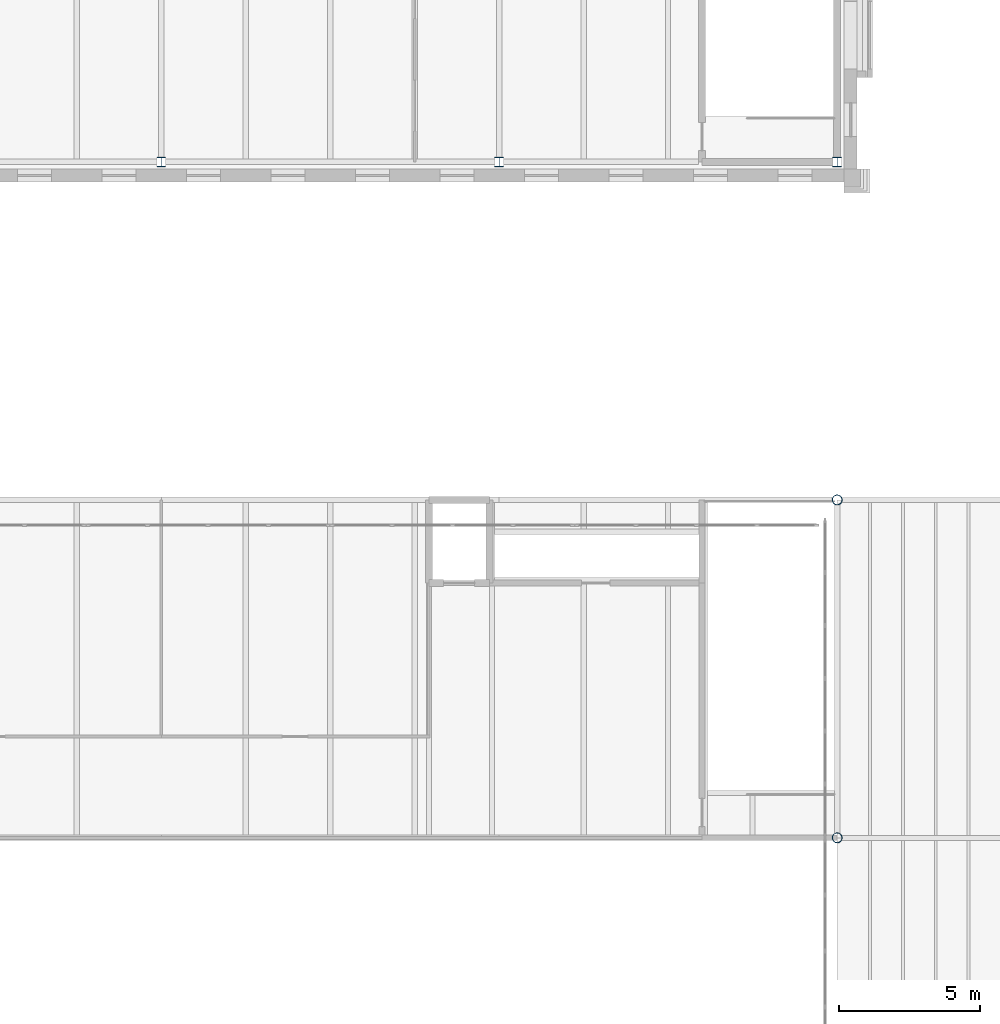
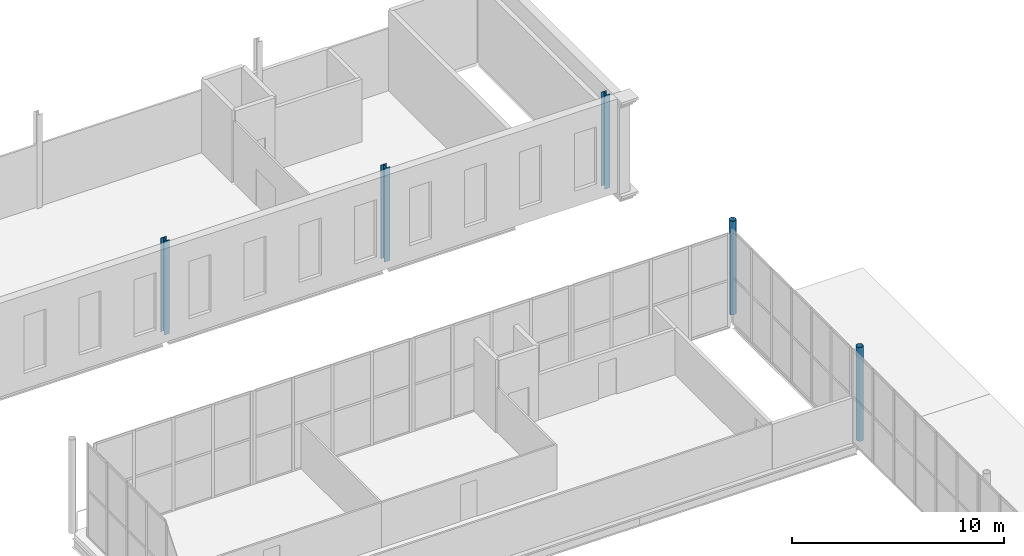
# One storey, part 28 of 170: 5 columns.
"""IFC4 building model written with IfcOpenShell, lengths in metres."""

import ifcopenshell
import ifcopenshell.guid

model = None  # the IFC model being written
_history = None  # IfcOwnerHistory: only IFC2X3 demands one
_inside = {}  # id of a spatial element -> (the spatial element, [elements in it])
_under = {}  # id of a project, library or spatial element -> (it, [spatial elements below it])
_declared = {}  # id of a project -> (the project, [libraries it declares])
_typed = {}  # id of a type object -> (the type object, [elements of that type])
_made_of = {}  # id of a material, layer set ... -> (it, [elements and type objects made of it])


def new_model(schema):
    """Start an empty IFC model of exactly this schema.

    Asked for "IFC4X3", IfcOpenShell would pick the latest addendum, in which some entities
    have other attributes; the version numbers below select the first issue.
    IFC2X3 requires an IfcOwnerHistory on every rooted entity: one is made here for all.
    """
    global model, _history
    if schema == "IFC4X3":
        model = ifcopenshell.file(schema_version=(4, 3, 0, 0))
    else:
        model = ifcopenshell.file(schema=schema)
    _inside.clear()
    _under.clear()
    _declared.clear()
    _typed.clear()
    _made_of.clear()
    _history = None
    if model.schema == "IFC2X3":
        org = make("IfcOrganization", Name="unknown")
        user = make(
            "IfcPersonAndOrganization",
            ThePerson=make("IfcPerson", FamilyName="unknown"),
            TheOrganization=org,
        )
        app = make(
            "IfcApplication",
            ApplicationDeveloper=org,
            Version="unknown",
            ApplicationFullName="unknown",
            ApplicationIdentifier="unknown",
        )
        _history = make(
            "IfcOwnerHistory",
            OwningUser=user,
            OwningApplication=app,
            ChangeAction="ADDED",
            CreationDate=0,
        )
    return model


def make(cls, **values):
    """One entity of the class cls with the attributes given. An attribute that is None is left unset."""
    return model.create_entity(
        cls, **{name: value for name, value in values.items() if value is not None}
    )


def rooted(cls, **values):
    """An entity with a GlobalId (a new one), such as an element, a storey or a relation."""
    return make(cls, GlobalId=ifcopenshell.guid.new(), OwnerHistory=_history, **values)


def si_unit(unit_type, name, prefix=None):
    """IfcSIUnit, for example si_unit("LENGTHUNIT", "METRE", prefix="MILLI")."""
    return make("IfcSIUnit", UnitType=unit_type, Prefix=prefix, Name=name)


def assignment(units):
    """IfcUnitAssignment: the units of a project."""
    return None if units is None else make("IfcUnitAssignment", Units=units)


def point(xyz):
    """IfcCartesianPoint."""
    return None if xyz is None else make("IfcCartesianPoint", Coordinates=xyz)


def direction(xyz):
    """IfcDirection."""
    return None if xyz is None else make("IfcDirection", DirectionRatios=xyz)


def frame(location, z_axis=None, x_axis=None):
    """IfcAxis2Placement3D, a coordinate frame: its origin and axes. An axis left out is left unset."""
    return make(
        "IfcAxis2Placement3D",
        Location=point(location),
        Axis=direction(z_axis),
        RefDirection=direction(x_axis),
    )


def frame_2d(location, x_axis=None):
    """IfcAxis2Placement2D, a coordinate frame in the plane: its origin and x axis."""
    return make(
        "IfcAxis2Placement2D", Location=point(location), RefDirection=direction(x_axis)
    )


def origin():
    """The frame at (0, 0, 0) with its axes left unset."""
    return frame((0.0, 0.0, 0.0))


def origin_2d():
    """The frame at (0, 0) in the plane with its x axis left unset."""
    return frame_2d((0.0, 0.0))


def place(relative_to, where):
    """IfcLocalPlacement: puts the frame where relative to a parent placement (None: the world)."""
    return make(
        "IfcLocalPlacement", PlacementRelTo=relative_to, RelativePlacement=where
    )


def context(
    kind, dimensions, precision=None, world=None, true_north=None, identifier=None
):
    """IfcGeometricRepresentationContext, for example the 3D "Model" context."""
    return make(
        "IfcGeometricRepresentationContext",
        ContextIdentifier=identifier,
        ContextType=kind,
        CoordinateSpaceDimension=dimensions,
        Precision=precision,
        WorldCoordinateSystem=world,
        TrueNorth=true_north,
    )


def subcontext(parent, identifier, kind, view, scale=None):
    """IfcGeometricRepresentationSubContext, for example "Body" below "Model"."""
    return make(
        "IfcGeometricRepresentationSubContext",
        ContextIdentifier=identifier,
        ContextType=kind,
        ParentContext=parent,
        TargetScale=scale,
        TargetView=view,
    )


def project(units=None, contexts=None):
    """IfcProject with its units and contexts."""
    return rooted(
        "IfcProject",
        Name="project",
        RepresentationContexts=contexts,
        UnitsInContext=assignment(units),
    )


def spatial(cls, under=None, at=None, **own):
    """A site, building, storey or space (cls), placed at a placement, below another one or the project."""
    s = rooted(cls, ObjectPlacement=at, **own)
    if under is not None:
        _under.setdefault(under.id(), (under, []))[1].append(s)
    return s


def profile(cls, at=None, kind="AREA", **sizes):
    """A parametric profile (cls). Its sizes go by their IFC names, for example OverallWidth=200.0."""
    return make(cls, ProfileType=kind, Position=at, **sizes)


def hollow_circle(**sizes):
    """IfcCircleHollowProfileDef."""
    return profile("IfcCircleHollowProfileDef", **sizes)


def i_section(**sizes):
    """IfcIShapeProfileDef."""
    return profile("IfcIShapeProfileDef", **sizes)


def extrude(swept, where, along, depth):
    """IfcExtrudedAreaSolid: the profile swept, set in the frame where, extruded along a direction by depth."""
    return make(
        "IfcExtrudedAreaSolid",
        SweptArea=swept,
        Position=where,
        ExtrudedDirection=direction(along),
        Depth=depth,
    )


def shape(context_of_items, identifier, shape_type, items):
    """IfcShapeRepresentation: the items that make up one representation, for example the "Body"."""
    return make(
        "IfcShapeRepresentation",
        ContextOfItems=context_of_items,
        RepresentationIdentifier=identifier,
        RepresentationType=shape_type,
        Items=items,
    )


def material(Name=None, Category=None):
    """IfcMaterial."""
    return make("IfcMaterial", Name=Name, Category=Category)


def material_profile(
    of_material, cross_section, Name=None, Category=None, Priority=None
):
    """IfcMaterialProfile: a cross section and its material."""
    return make(
        "IfcMaterialProfile",
        Name=Name,
        Material=of_material,
        Profile=cross_section,
        Priority=Priority,
        Category=Category,
    )


def profile_set(profiles, Name=None, composite=None):
    """IfcMaterialProfileSet."""
    return make(
        "IfcMaterialProfileSet",
        Name=Name,
        MaterialProfiles=profiles,
        CompositeProfile=composite,
    )


def made_of(thing, what):
    """Note that an element or type object is made of a material, layer set ...; save() writes the relation."""
    if what is not None:
        _made_of.setdefault(what.id(), (what, []))[1].append(thing)
    return thing


def type_object(cls, material=None, **own):
    """A type object (cls), such as IfcWallType, which elements share."""
    return made_of(rooted(cls, **own), material)


def element(
    cls,
    number,
    at=None,
    inside=None,
    cuts=None,
    type_object=None,
    material=None,
    context=None,
    identifier="Body",
    shape_type=None,
    held_by="IfcProductDefinitionShape",
    body=None,
    shapes=None,
    **own,
):
    """One element of the class cls, such as IfcWall. Its Tag is "e" and its number.

    at: its placement. inside: the storey or other place that contains it. cuts: it is an
    opening in that element (IfcRelVoidsElement). A single representation is given by context,
    identifier, shape_type and body (its items); several are given by shapes. held_by: the class
    of the entity that holds the representations. save() writes the other relations.
    """
    e = rooted(cls, Tag="e%d" % number, ObjectPlacement=at, **own)
    if body is not None:
        shapes = [shape(context, identifier, shape_type, body)]
    if shapes is not None:
        e.Representation = make(held_by, Representations=shapes)
    if inside is not None:
        _inside.setdefault(inside.id(), (inside, []))[1].append(e)
    if cuts is not None:
        rooted(
            "IfcRelVoidsElement", RelatingBuildingElement=cuts, RelatedOpeningElement=e
        )
    if type_object is not None:
        _typed.setdefault(type_object.id(), (type_object, []))[1].append(e)
    return made_of(e, material)


def aggregate(whole, parts):
    """IfcRelAggregates: a whole, such as a stair, and the parts it consists of."""
    return rooted("IfcRelAggregates", RelatingObject=whole, RelatedObjects=parts)


def save(model, path):
    """Write the relations noted so far, then the file.

    IfcRelAggregates (storeys below a building ...), IfcRelContainedInSpatialStructure (elements
    in a storey), IfcRelDefinesByType, IfcRelAssociatesMaterial and IfcRelDeclares: one each for
    every whole, place, type object, material and project.
    """
    for whole, parts in _under.values():
        aggregate(whole, parts)
    for where, things in _inside.values():
        rooted(
            "IfcRelContainedInSpatialStructure",
            RelatedElements=things,
            RelatingStructure=where,
        )
    for kind, things in _typed.values():
        rooted("IfcRelDefinesByType", RelatedObjects=things, RelatingType=kind)
    for what, things in _made_of.values():
        rooted("IfcRelAssociatesMaterial", RelatedObjects=things, RelatingMaterial=what)
    for by, libraries in _declared.values():
        rooted("IfcRelDeclares", RelatingContext=by, RelatedDefinitions=libraries)
    model.write(path)


model = new_model("IFC4")

# Units and contexts
model_context = context("Model", 3, precision=1e-05, world=origin(), true_north=direction((0.0, 1.0)))
body_context = subcontext(model_context, "Body", "Model", "MODEL_VIEW")
ifc_project = project(units=[si_unit("LENGTHUNIT", "METRE"), si_unit("AREAUNIT", "SQUARE_METRE"), si_unit("VOLUMEUNIT", "CUBIC_METRE"), si_unit("PLANEANGLEUNIT", "RADIAN"), si_unit("MASSUNIT", "GRAM", prefix="KILO")], contexts=[model_context])

# Site, building, storey
site_placement = place(None, origin())
site = spatial("IfcSite", under=ifc_project, at=site_placement, CompositionType="ELEMENT")
building_placement = place(site_placement, origin())
building = spatial("IfcBuilding", under=site, at=building_placement, Name="Ravi Spectrum Wholesale Market", CompositionType="ELEMENT")
storey_placement = place(building_placement, frame((0.0, 0.0, 5.39990234375)))
storey = spatial("IfcBuildingStorey", under=building, at=storey_placement, Name="L01", CompositionType="ELEMENT", Elevation=5.39990234375)

# Columns
ifc_material_1 = material(Name="Steel S355", Category="steel")
ifc_material_profile_1 = material_profile(ifc_material_1, hollow_circle(Radius=0.177734375, WallThickness=0.012451171875, at=origin_2d()))
ifc_profile_set_1 = profile_set([ifc_material_profile_1], Name="Steel S355")
column_type_1 = type_object("IfcColumnType", Name="CHS 355.6x12.5 column", PredefinedType="COLUMN", material=ifc_profile_set_1)
for number, where, z_axis, x_axis, name in (
    (1, (198.0, 174.0, 0.0), (0.0, 0.0, 1.0), (1.0, 0.0, 0.0), "H3-COL-L01-009"),
    (2, (198.0, 186.0, 0.0), (0.0, 0.0, 1.0), (1.0, 0.0, 0.0), "H3-COL-L01-010"),
):
    element("IfcColumn", number, at=place(storey_placement, frame(where, z_axis=z_axis, x_axis=x_axis)), inside=storey, type_object=column_type_1, Name=name, PredefinedType="COLUMN", context=body_context, shape_type="SweptSolid", body=[
        extrude(hollow_circle(Radius=0.177734375, WallThickness=0.012451171875, at=origin_2d()), origin(), (0.0, 0.0, 1.0), 5.400146484375),
    ])
ifc_material_2 = material(Name="Steel S355", Category="steel")
ifc_material_profile_2 = material_profile(ifc_material_2, i_section(OverallWidth=0.300048828125, OverallDepth=0.340087890625, WebThickness=0.011962890625, FlangeThickness=0.021484375, at=origin_2d()))
ifc_profile_set_2 = profile_set([ifc_material_profile_2], Name="Steel S355")
column_type_2 = type_object("IfcColumnType", Name="HEB 340 column", PredefinedType="COLUMN", material=ifc_profile_set_2)
for number, where, z_axis, x_axis, name in (
    (3, (174.0, 198.0, 0.0), (0.0, 0.0, 1.0), (1.0, 0.0, 0.0), "AU-COL-L01-005"),
    (4, (186.0, 198.0, 0.0), (0.0, 0.0, 1.0), (1.0, 0.0, 0.0), "AU-COL-L01-008"),
    (5, (198.0, 198.0, 0.0), (0.0, 0.0, 1.0), (1.0, 0.0, 0.0), "AU-COL-L01-011"),
):
    element("IfcColumn", number, at=place(storey_placement, frame(where, z_axis=z_axis, x_axis=x_axis)), inside=storey, type_object=column_type_2, Name=name, PredefinedType="COLUMN", context=body_context, shape_type="SweptSolid", body=[
        extrude(i_section(OverallWidth=0.300048828125, OverallDepth=0.340087890625, WebThickness=0.011962890625, FlangeThickness=0.021484375, at=origin_2d()), origin(), (0.0, 0.0, 1.0), 5.400146484375),
    ])

save(model, "model.ifc")
